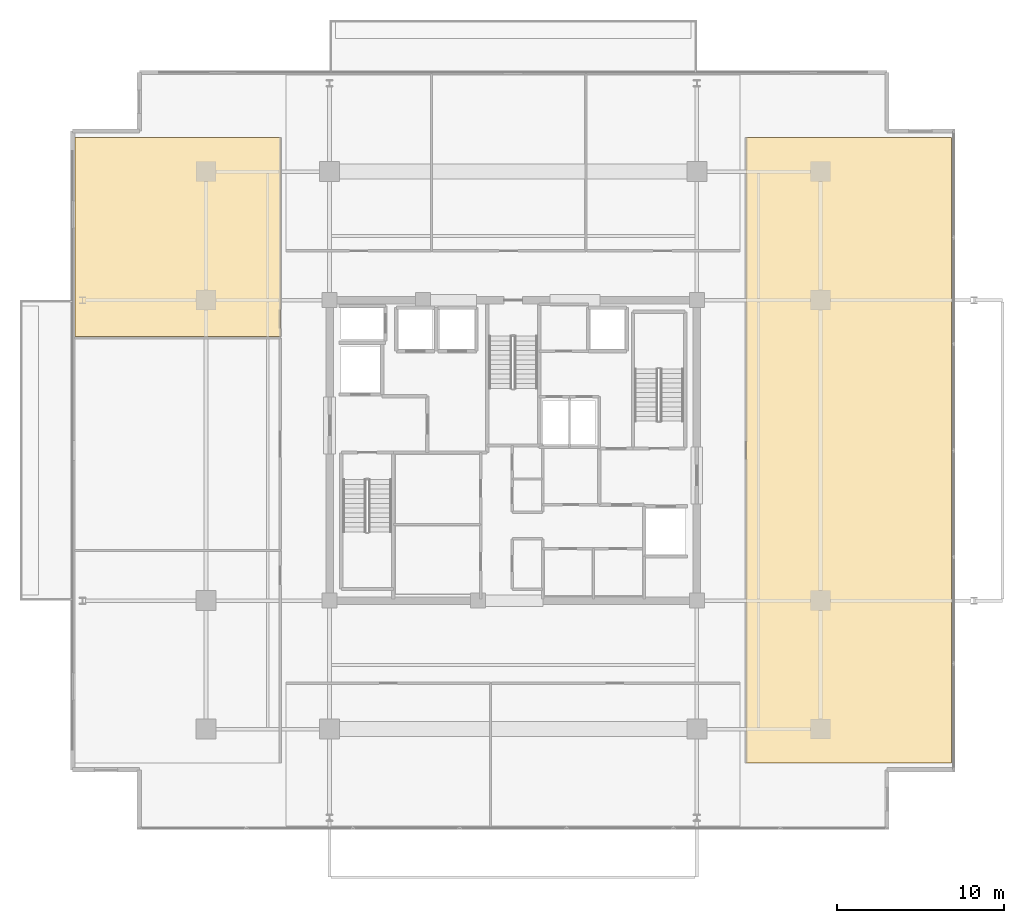
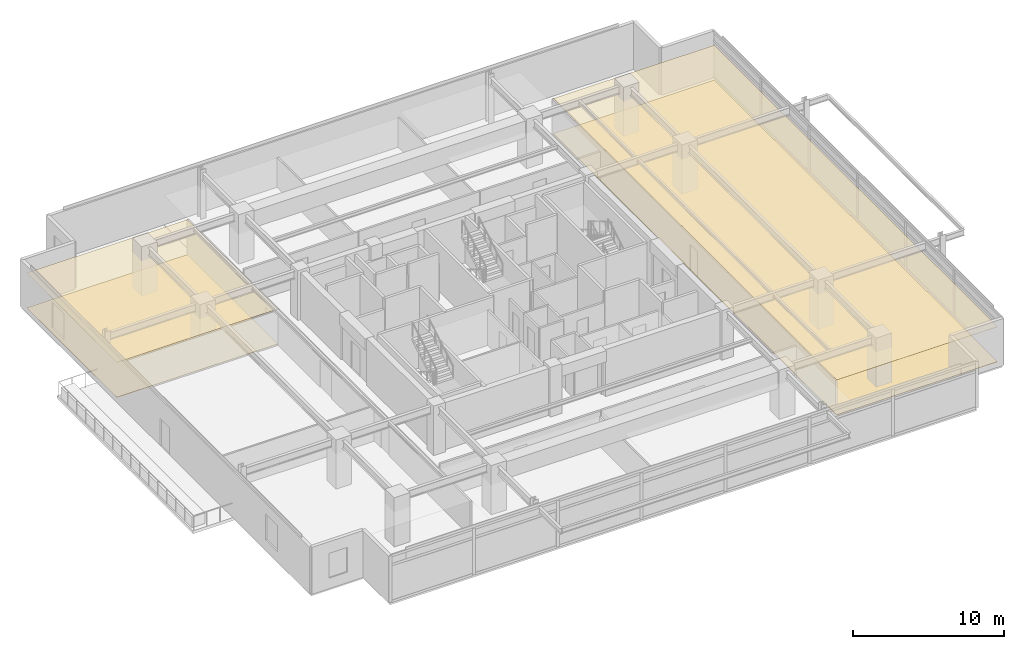
# One storey, part 18 of 19: 4 coverings.
"""IFC4 building model written with IfcOpenShell, lengths in metres."""

from ifc_helpers import new_model, si_unit, direction, frame, origin, place, context, subcontext, project, spatial, polyline, outline, extrude, material, layer, layer_set, type_object, element, save


model = new_model("IFC4")

# Units and contexts
model_context = context("Model", 3, precision=1e-05, world=origin(), true_north=direction((0.0, 1.0)))
body_context = subcontext(model_context, "Body", "Model", "MODEL_VIEW")
ifc_project = project(units=[si_unit("LENGTHUNIT", "METRE"), si_unit("AREAUNIT", "SQUARE_METRE"), si_unit("VOLUMEUNIT", "CUBIC_METRE"), si_unit("PLANEANGLEUNIT", "RADIAN"), si_unit("MASSUNIT", "GRAM", prefix="KILO")], contexts=[model_context])

# Site, building, storey
site_placement = place(None, origin())
site = spatial("IfcSite", under=ifc_project, at=site_placement, CompositionType="ELEMENT")
building_placement = place(site_placement, origin())
building = spatial("IfcBuilding", under=site, at=building_placement, Name="Kovane Verandah Tower", CompositionType="ELEMENT")
storey_placement = place(building_placement, frame((0.0, 0.0, 255.199951171875)))
storey = spatial("IfcBuildingStorey", under=building, at=storey_placement, Name="L59", CompositionType="ELEMENT", Elevation=255.199951171875)

# Coverings
ifc_material_1 = material(Name="Perforated Acoustic Mineral-Fibre Ceiling Tile", Category="gypsum")
ifc_layer_1 = layer(ifc_material_1, 0.02490234375)
ifc_layer_set_1 = layer_set([ifc_layer_1], Name="Perforated Acoustic Mineral-Fibre Ceiling Tile")
covering_type_1 = type_object("IfcCoveringType", Name="CV-CEIL-25", PredefinedType="CEILING", material=ifc_layer_set_1)
covering_1_placement = place(storey_placement, frame((0.0, 0.0, 2.824951171875)))
element("IfcCovering", 1, at=covering_1_placement, inside=storey, type_object=covering_type_1, Name="L59 Meeting Room W3 Acoustic Ceiling", PredefinedType="CEILING", context=body_context, shape_type="SweptSolid", body=[
    extrude(outline(polyline([(13.753662109375, 34.3154296875), (26.050048828125, 34.3154296875), (26.050048828125, 46.237548828125), (13.753662109375, 46.237548828125), (13.753662109375, 34.3154296875)])), origin(), (0.0, 0.0, 1.0), 0.025146484375),
])
covering_2_placement = place(storey_placement, frame((0.0, 0.0, 2.824951171875)))
element("IfcCovering", 2, at=covering_2_placement, inside=storey, type_object=covering_type_1, Name="L59 Focus Studio E1 Acoustic Ceiling", PredefinedType="CEILING", context=body_context, shape_type="SweptSolid", body=[
    extrude(outline(polyline([(53.949951171875, 8.762451171875), (66.246337890625, 8.762451171875), (66.246337890625, 46.237548828125), (53.949951171875, 46.237548828125), (53.949951171875, 8.762451171875)])), origin(), (0.0, 0.0, 1.0), 0.025146484375),
])
ifc_material_2 = material(Name="Polished Terrazzo and Raised-Access Carpet Tile Finish", Category="concrete")
ifc_layer_2 = layer(ifc_material_2, 0.030029296875)
ifc_layer_set_2 = layer_set([ifc_layer_2], Name="Polished Terrazzo and Raised-Access Carpet Tile Finish")
covering_type_2 = type_object("IfcCoveringType", Name="CV-FLOR-30", PredefinedType="FLOORING", material=ifc_layer_set_2)
covering_3_placement = place(storey_placement, origin())
element("IfcCovering", 3, at=covering_3_placement, inside=storey, type_object=covering_type_2, Name="L59 Meeting Room W3 Floor Finish", PredefinedType="FLOORING", context=body_context, shape_type="SweptSolid", body=[
    extrude(outline(polyline([(13.753662109375, 34.3154296875), (26.050048828125, 34.3154296875), (26.050048828125, 46.237548828125), (13.753662109375, 46.237548828125), (13.753662109375, 34.3154296875)])), origin(), (0.0, 0.0, 1.0), 0.030029296875),
])
covering_4_placement = place(storey_placement, origin())
element("IfcCovering", 4, at=covering_4_placement, inside=storey, type_object=covering_type_2, Name="L59 Focus Studio E1 Floor Finish", PredefinedType="FLOORING", context=body_context, shape_type="SweptSolid", body=[
    extrude(outline(polyline([(53.949951171875, 8.762451171875), (66.246337890625, 8.762451171875), (66.246337890625, 46.237548828125), (53.949951171875, 46.237548828125), (53.949951171875, 8.762451171875)])), origin(), (0.0, 0.0, 1.0), 0.030029296875),
])

save(model, "model.ifc")
